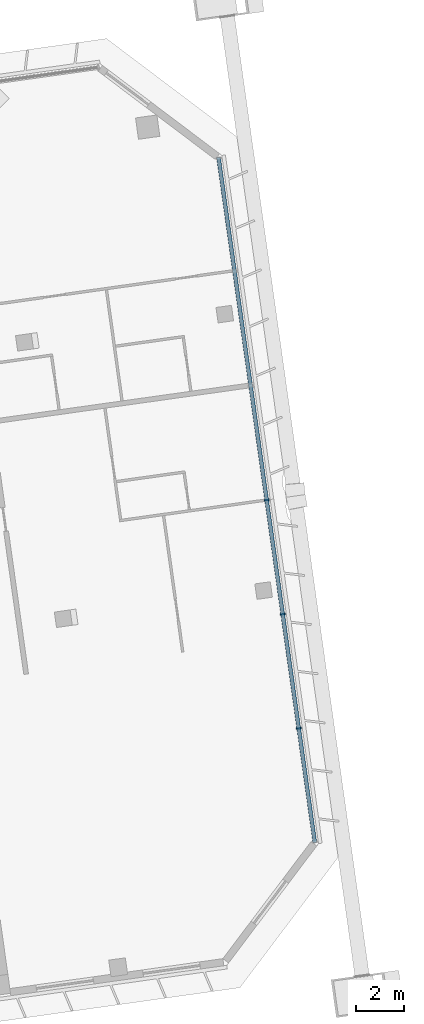
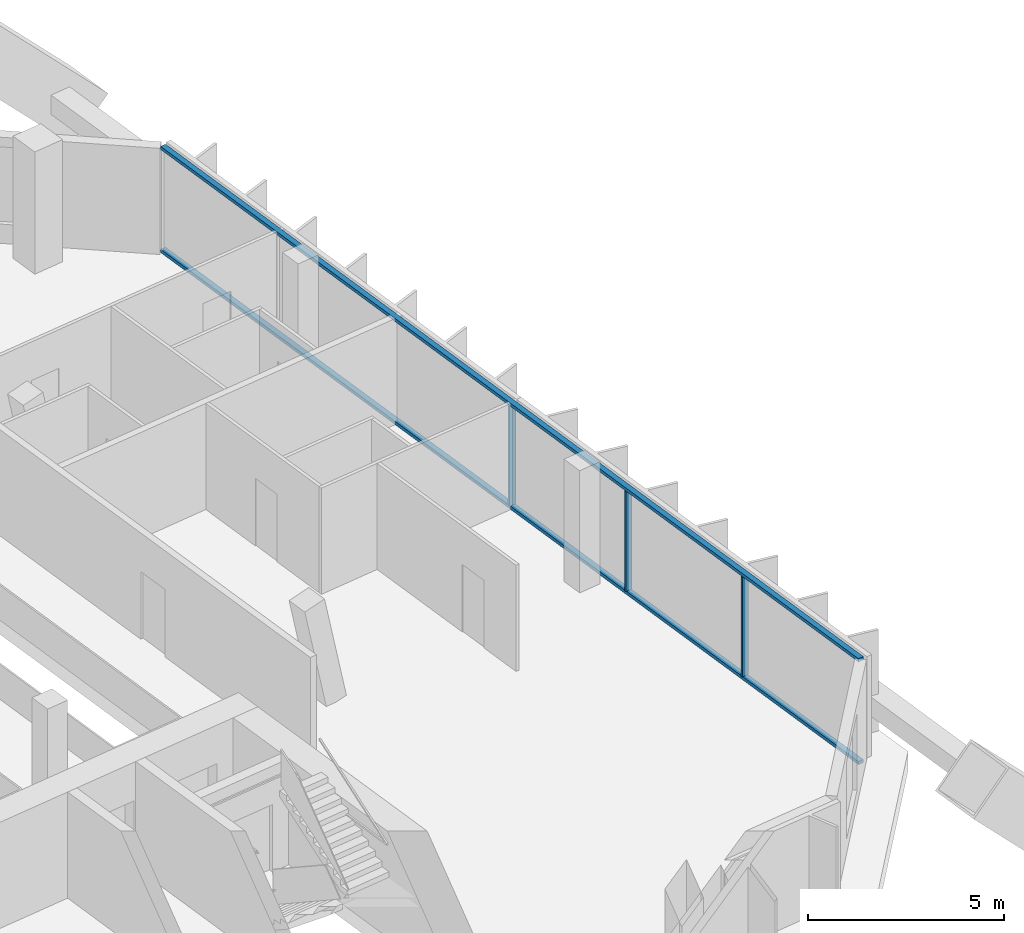
# One storey, part 13 of 34: 5 members, 1 element without a shape of its own.
"""IFC4 building model written with IfcOpenShell, lengths in metres."""

from ifc_helpers import new_model, si_unit, direction, frame, origin, origin_2d, place, context, subcontext, project, spatial, rectangle, extrude, material, material_profile, profile_set, type_object, element, aggregate, save


model = new_model("IFC4")

# Units and contexts
model_context = context("Model", 3, precision=1e-05, world=origin(), true_north=direction((0.0, 1.0)))
body_context = subcontext(model_context, "Body", "Model", "MODEL_VIEW")
ifc_project = project(units=[si_unit("LENGTHUNIT", "METRE"), si_unit("AREAUNIT", "SQUARE_METRE"), si_unit("VOLUMEUNIT", "CUBIC_METRE"), si_unit("PLANEANGLEUNIT", "RADIAN"), si_unit("MASSUNIT", "GRAM", prefix="KILO")], contexts=[model_context])

# Site, building, storey
site_placement = place(None, origin())
site = spatial("IfcSite", under=ifc_project, at=site_placement, CompositionType="ELEMENT")
building_placement = place(site_placement, origin())
building = spatial("IfcBuilding", under=site, at=building_placement, Name="Mirante Cascada Hotel Towers", CompositionType="ELEMENT")
storey_placement = place(building_placement, frame((0.0, 0.0, 148.1)))
storey = spatial("IfcBuildingStorey", under=building, at=storey_placement, Name="L34", CompositionType="ELEMENT", Elevation=148.1)

# Curtain wall, members
ifc_material_1 = material(Name="Aluminium mullion and transom frame with clear laminated glass", Category="aluminium")
curtain_wall_type = type_object("IfcCurtainWallType", Name="End ribbon curtain wall ECW2", PredefinedType="NOTDEFINED", material=ifc_material_1)
curtain_wall_placement = place(storey_placement, origin())
curtain_wall = element("IfcCurtainWall", 1, at=curtain_wall_placement, inside=storey, type_object=curtain_wall_type, Name="Outer end wall T2 L34", PredefinedType="NOTDEFINED")
ifc_material_2 = material(Name="Anodised aluminium extrusion", Category="aluminium")
ifc_material_profile_1 = material_profile(ifc_material_2, rectangle(XDim=0.2, YDim=0.065, at=origin_2d()), Name="ECW2 MULLION 65x200")
ifc_profile_set_1 = profile_set([ifc_material_profile_1], Name="Anodised aluminium extrusion")
member_type_1 = type_object("IfcMemberType", Name="ECW2 mullion 65x200", PredefinedType="MULLION", material=ifc_profile_set_1)
member_1_placement = place(storey_placement, frame((102.4903, -1.532, 0.1), z_axis=(0.0, 0.0, 1.0), x_axis=(-0.9902681, -0.1391731, 0.0)))
member_1 = element("IfcMember", 2, at=member_1_placement, type_object=member_type_1, Name="ECW2 mullion 2", PredefinedType="MULLION", context=body_context, shape_type="SweptSolid", body=[
    extrude(rectangle(XDim=0.2, YDim=0.065, at=origin_2d()), origin(), (0.0, 0.0, 1.0), 3.1),
])
member_2_placement = place(storey_placement, frame((101.8205, 3.2338, 0.1), z_axis=(0.0, 0.0, 1.0), x_axis=(-0.9902681, -0.1391731, 0.0)))
member_2 = element("IfcMember", 3, at=member_2_placement, type_object=member_type_1, Name="ECW2 mullion 3", PredefinedType="MULLION", context=body_context, shape_type="SweptSolid", body=[
    extrude(rectangle(XDim=0.2, YDim=0.065, at=origin_2d()), origin(), (0.0, 0.0, 1.0), 3.1),
])
member_3_placement = place(storey_placement, frame((101.1508, 7.9996, 0.1), z_axis=(0.0, 0.0, 1.0), x_axis=(-0.9902681, -0.1391731, 0.0)))
member_3 = element("IfcMember", 4, at=member_3_placement, type_object=member_type_1, Name="ECW2 mullion 4", PredefinedType="MULLION", context=body_context, shape_type="SweptSolid", body=[
    extrude(rectangle(XDim=0.2, YDim=0.065, at=origin_2d()), origin(), (0.0, 0.0, 1.0), 3.1),
])
ifc_material_3 = material(Name="Anodised aluminium extrusion", Category="aluminium")
ifc_material_profile_2 = material_profile(ifc_material_3, rectangle(XDim=0.16, YDim=0.1, at=origin_2d()), Name="ECW2 TRANSOM 100x160")
ifc_profile_set_2 = profile_set([ifc_material_profile_2], Name="Anodised aluminium extrusion")
member_type_2 = type_object("IfcMemberType", Name="ECW2 transom 100x160", PredefinedType="USERDEFINED", material=ifc_profile_set_2)
member_4_placement = place(storey_placement, frame((103.1601, -6.2978, 0.05), z_axis=(-0.1391723, 0.9902682, 0.0), x_axis=(-0.9902682, -0.1391723, 0.0)))
member_4 = element("IfcMember", 5, at=member_4_placement, type_object=member_type_2, Name="ECW2 sill transom", ObjectType="TRANSOM", PredefinedType="USERDEFINED", context=body_context, shape_type="SweptSolid", body=[
    extrude(rectangle(XDim=0.16, YDim=0.1, at=origin_2d()), origin(), (0.0, 0.0, 1.0), 28.8757),
])
member_5_placement = place(storey_placement, frame((103.1601, -6.2978, 3.25), z_axis=(-0.1391723, 0.9902682, 0.0), x_axis=(-0.9902682, -0.1391723, 0.0)))
member_5 = element("IfcMember", 6, at=member_5_placement, type_object=member_type_2, Name="ECW2 head transom", ObjectType="TRANSOM", PredefinedType="USERDEFINED", context=body_context, shape_type="SweptSolid", body=[
    extrude(rectangle(XDim=0.16, YDim=0.1, at=origin_2d()), origin(), (0.0, 0.0, 1.0), 28.8757),
])
aggregate(curtain_wall, [member_4, member_5, member_1, member_2, member_3])

save(model, "model.ifc")
